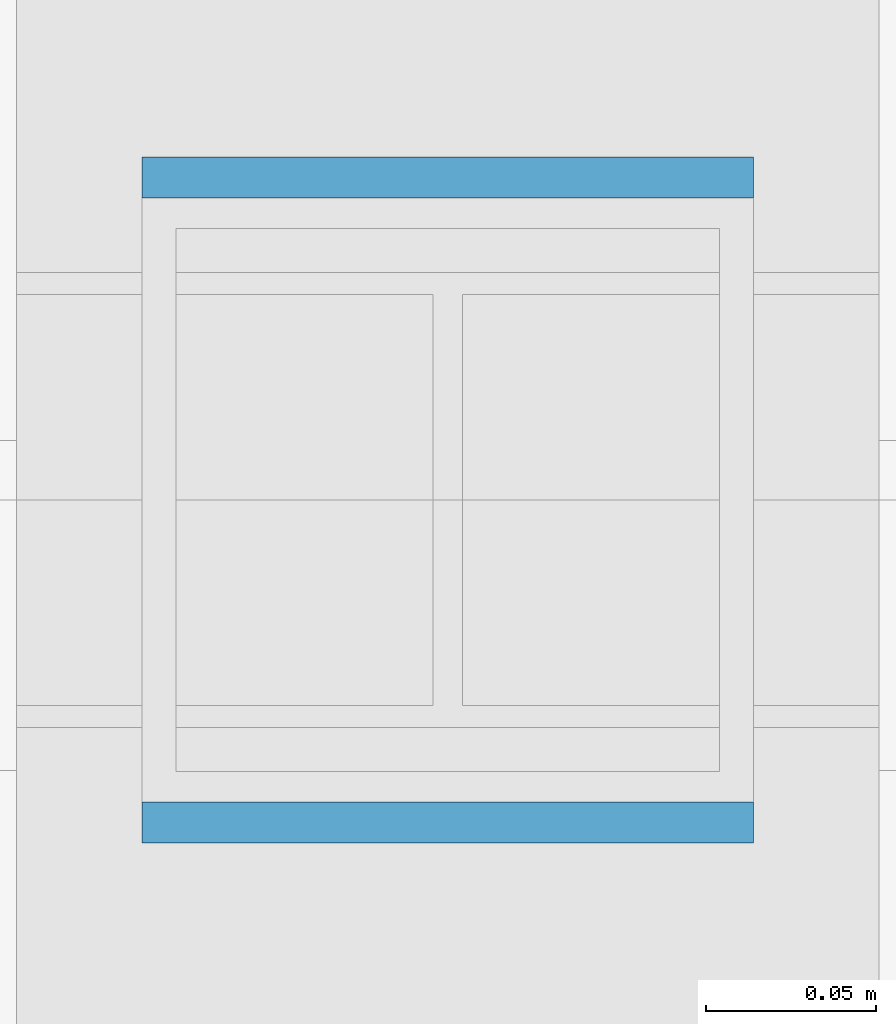
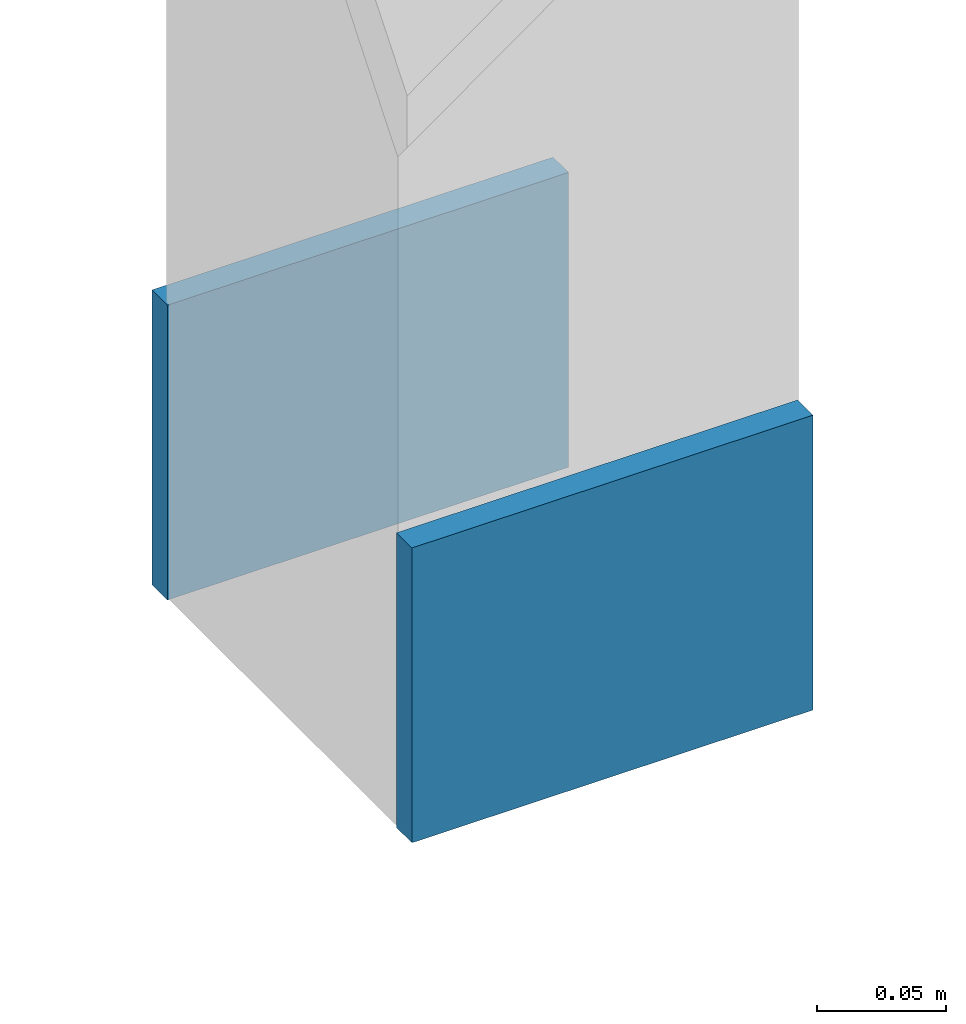
# One storey, part 46 of 59: 2 discrete accessories.
"""IFC4 building model written with IfcOpenShell, lengths in metres."""

from ifc_helpers import new_model, si_unit, direction, frame, origin, origin_2d, place, context, subcontext, project, spatial, rectangle, extrude, material, type_object, element, save


model = new_model("IFC4")

# Units and contexts
model_context = context("Model", 3, precision=1e-05, world=origin(), true_north=direction((0.0, 1.0)))
body_context = subcontext(model_context, "Body", "Model", "MODEL_VIEW")
ifc_project = project(units=[si_unit("LENGTHUNIT", "METRE"), si_unit("AREAUNIT", "SQUARE_METRE"), si_unit("VOLUMEUNIT", "CUBIC_METRE"), si_unit("PLANEANGLEUNIT", "RADIAN"), si_unit("MASSUNIT", "GRAM", prefix="KILO")], contexts=[model_context])

# Site, building, storey
site_placement = place(None, origin())
site = spatial("IfcSite", under=ifc_project, at=site_placement, CompositionType="ELEMENT")
building_placement = place(site_placement, origin())
building = spatial("IfcBuilding", under=site, at=building_placement, Name="Cumevento Cable Car Station", CompositionType="ELEMENT")
storey_placement = place(building_placement, frame((0.0, 0.0, 18.0)))
storey = spatial("IfcBuildingStorey", under=building, at=storey_placement, Name="L05", CompositionType="ELEMENT", Elevation=18.0)

# Discrete accessories
ifc_material = material(Name="Steel ASTM A572 Grade 50", Category="steel")
discrete_accessory_type = type_object("IfcDiscreteAccessoryType", Name="King Post Foot Cleat Plate KC-01", PredefinedType="BRACKET", material=ifc_material)
for number, where, z_axis, x_axis, name in (
    (1, (136.0, 50.655029296875, -0.0009765625), (0.0, 0.0, 1.0), (0.0, 1.0, 0.0), "King Post Foot Cleat Plate #27"),
    (2, (136.0, 50.844970703125, -0.0009765625), (0.0, 0.0, 1.0), (0.0, 1.0, 0.0), "King Post Foot Cleat Plate #28"),
):
    element("IfcDiscreteAccessory", number, at=place(storey_placement, frame(where, z_axis=z_axis, x_axis=x_axis)), inside=storey, type_object=discrete_accessory_type, Name=name, PredefinedType="BRACKET", context=body_context, shape_type="SweptSolid", body=[
        extrude(rectangle(XDim=0.011962890625, YDim=0.179931640625, at=origin_2d()), origin(), (0.0, 0.0, 1.0), 0.139892578125),
    ])

save(model, "model.ifc")
